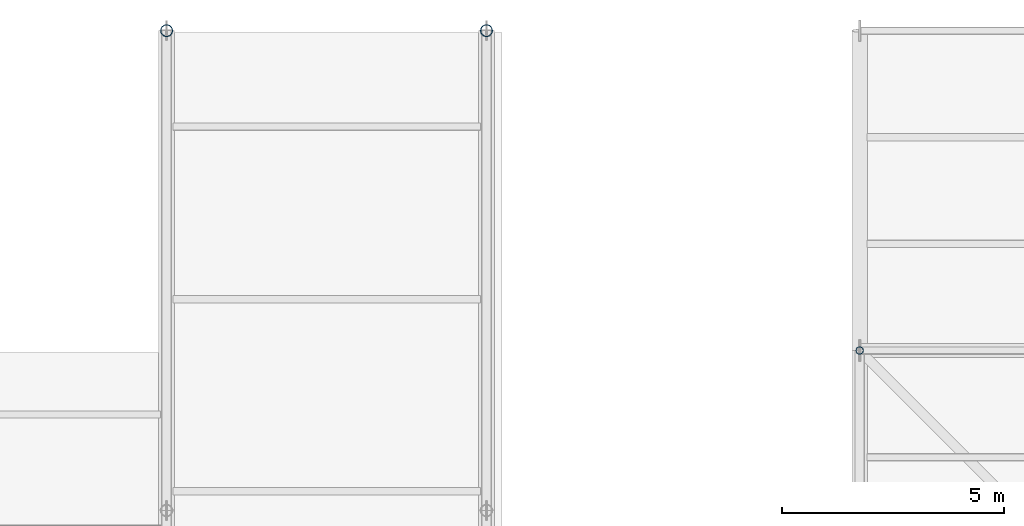
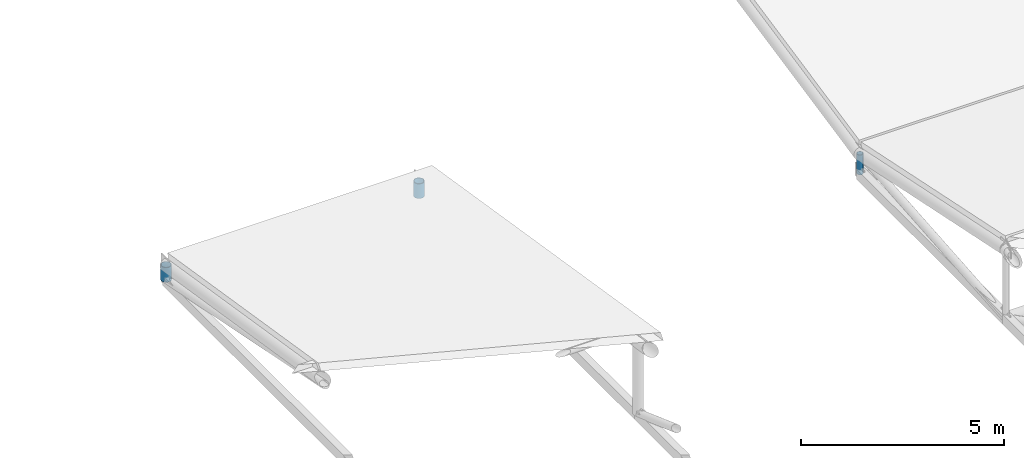
# One storey, part 45 of 72: 3 members.
"""IFC4 building model written with IfcOpenShell, lengths in metres."""

import ifcopenshell
import ifcopenshell.guid

model = None  # the IFC model being written
_history = None  # IfcOwnerHistory: only IFC2X3 demands one
_inside = {}  # id of a spatial element -> (the spatial element, [elements in it])
_under = {}  # id of a project, library or spatial element -> (it, [spatial elements below it])
_declared = {}  # id of a project -> (the project, [libraries it declares])
_typed = {}  # id of a type object -> (the type object, [elements of that type])
_made_of = {}  # id of a material, layer set ... -> (it, [elements and type objects made of it])


def new_model(schema):
    """Start an empty IFC model of exactly this schema.

    Asked for "IFC4X3", IfcOpenShell would pick the latest addendum, in which some entities
    have other attributes; the version numbers below select the first issue.
    IFC2X3 requires an IfcOwnerHistory on every rooted entity: one is made here for all.
    """
    global model, _history
    if schema == "IFC4X3":
        model = ifcopenshell.file(schema_version=(4, 3, 0, 0))
    else:
        model = ifcopenshell.file(schema=schema)
    _inside.clear()
    _under.clear()
    _declared.clear()
    _typed.clear()
    _made_of.clear()
    _history = None
    if model.schema == "IFC2X3":
        org = make("IfcOrganization", Name="unknown")
        user = make(
            "IfcPersonAndOrganization",
            ThePerson=make("IfcPerson", FamilyName="unknown"),
            TheOrganization=org,
        )
        app = make(
            "IfcApplication",
            ApplicationDeveloper=org,
            Version="unknown",
            ApplicationFullName="unknown",
            ApplicationIdentifier="unknown",
        )
        _history = make(
            "IfcOwnerHistory",
            OwningUser=user,
            OwningApplication=app,
            ChangeAction="ADDED",
            CreationDate=0,
        )
    return model


def make(cls, **values):
    """One entity of the class cls with the attributes given. An attribute that is None is left unset."""
    return model.create_entity(
        cls, **{name: value for name, value in values.items() if value is not None}
    )


def rooted(cls, **values):
    """An entity with a GlobalId (a new one), such as an element, a storey or a relation."""
    return make(cls, GlobalId=ifcopenshell.guid.new(), OwnerHistory=_history, **values)


def si_unit(unit_type, name, prefix=None):
    """IfcSIUnit, for example si_unit("LENGTHUNIT", "METRE", prefix="MILLI")."""
    return make("IfcSIUnit", UnitType=unit_type, Prefix=prefix, Name=name)


def assignment(units):
    """IfcUnitAssignment: the units of a project."""
    return None if units is None else make("IfcUnitAssignment", Units=units)


def point(xyz):
    """IfcCartesianPoint."""
    return None if xyz is None else make("IfcCartesianPoint", Coordinates=xyz)


def direction(xyz):
    """IfcDirection."""
    return None if xyz is None else make("IfcDirection", DirectionRatios=xyz)


def frame(location, z_axis=None, x_axis=None):
    """IfcAxis2Placement3D, a coordinate frame: its origin and axes. An axis left out is left unset."""
    return make(
        "IfcAxis2Placement3D",
        Location=point(location),
        Axis=direction(z_axis),
        RefDirection=direction(x_axis),
    )


def frame_2d(location, x_axis=None):
    """IfcAxis2Placement2D, a coordinate frame in the plane: its origin and x axis."""
    return make(
        "IfcAxis2Placement2D", Location=point(location), RefDirection=direction(x_axis)
    )


def origin():
    """The frame at (0, 0, 0) with its axes left unset."""
    return frame((0.0, 0.0, 0.0))


def origin_2d():
    """The frame at (0, 0) in the plane with its x axis left unset."""
    return frame_2d((0.0, 0.0))


def place(relative_to, where):
    """IfcLocalPlacement: puts the frame where relative to a parent placement (None: the world)."""
    return make(
        "IfcLocalPlacement", PlacementRelTo=relative_to, RelativePlacement=where
    )


def context(
    kind, dimensions, precision=None, world=None, true_north=None, identifier=None
):
    """IfcGeometricRepresentationContext, for example the 3D "Model" context."""
    return make(
        "IfcGeometricRepresentationContext",
        ContextIdentifier=identifier,
        ContextType=kind,
        CoordinateSpaceDimension=dimensions,
        Precision=precision,
        WorldCoordinateSystem=world,
        TrueNorth=true_north,
    )


def subcontext(parent, identifier, kind, view, scale=None):
    """IfcGeometricRepresentationSubContext, for example "Body" below "Model"."""
    return make(
        "IfcGeometricRepresentationSubContext",
        ContextIdentifier=identifier,
        ContextType=kind,
        ParentContext=parent,
        TargetScale=scale,
        TargetView=view,
    )


def project(units=None, contexts=None):
    """IfcProject with its units and contexts."""
    return rooted(
        "IfcProject",
        Name="project",
        RepresentationContexts=contexts,
        UnitsInContext=assignment(units),
    )


def spatial(cls, under=None, at=None, **own):
    """A site, building, storey or space (cls), placed at a placement, below another one or the project."""
    s = rooted(cls, ObjectPlacement=at, **own)
    if under is not None:
        _under.setdefault(under.id(), (under, []))[1].append(s)
    return s


def profile(cls, at=None, kind="AREA", **sizes):
    """A parametric profile (cls). Its sizes go by their IFC names, for example OverallWidth=200.0."""
    return make(cls, ProfileType=kind, Position=at, **sizes)


def hollow_circle(**sizes):
    """IfcCircleHollowProfileDef."""
    return profile("IfcCircleHollowProfileDef", **sizes)


def extrude(swept, where, along, depth):
    """IfcExtrudedAreaSolid: the profile swept, set in the frame where, extruded along a direction by depth."""
    return make(
        "IfcExtrudedAreaSolid",
        SweptArea=swept,
        Position=where,
        ExtrudedDirection=direction(along),
        Depth=depth,
    )


def shape(context_of_items, identifier, shape_type, items):
    """IfcShapeRepresentation: the items that make up one representation, for example the "Body"."""
    return make(
        "IfcShapeRepresentation",
        ContextOfItems=context_of_items,
        RepresentationIdentifier=identifier,
        RepresentationType=shape_type,
        Items=items,
    )


def material(Name=None, Category=None):
    """IfcMaterial."""
    return make("IfcMaterial", Name=Name, Category=Category)


def material_profile(
    of_material, cross_section, Name=None, Category=None, Priority=None
):
    """IfcMaterialProfile: a cross section and its material."""
    return make(
        "IfcMaterialProfile",
        Name=Name,
        Material=of_material,
        Profile=cross_section,
        Priority=Priority,
        Category=Category,
    )


def profile_set(profiles, Name=None, composite=None):
    """IfcMaterialProfileSet."""
    return make(
        "IfcMaterialProfileSet",
        Name=Name,
        MaterialProfiles=profiles,
        CompositeProfile=composite,
    )


def made_of(thing, what):
    """Note that an element or type object is made of a material, layer set ...; save() writes the relation."""
    if what is not None:
        _made_of.setdefault(what.id(), (what, []))[1].append(thing)
    return thing


def type_object(cls, material=None, **own):
    """A type object (cls), such as IfcWallType, which elements share."""
    return made_of(rooted(cls, **own), material)


def element(
    cls,
    number,
    at=None,
    inside=None,
    cuts=None,
    type_object=None,
    material=None,
    context=None,
    identifier="Body",
    shape_type=None,
    held_by="IfcProductDefinitionShape",
    body=None,
    shapes=None,
    **own,
):
    """One element of the class cls, such as IfcWall. Its Tag is "e" and its number.

    at: its placement. inside: the storey or other place that contains it. cuts: it is an
    opening in that element (IfcRelVoidsElement). A single representation is given by context,
    identifier, shape_type and body (its items); several are given by shapes. held_by: the class
    of the entity that holds the representations. save() writes the other relations.
    """
    e = rooted(cls, Tag="e%d" % number, ObjectPlacement=at, **own)
    if body is not None:
        shapes = [shape(context, identifier, shape_type, body)]
    if shapes is not None:
        e.Representation = make(held_by, Representations=shapes)
    if inside is not None:
        _inside.setdefault(inside.id(), (inside, []))[1].append(e)
    if cuts is not None:
        rooted(
            "IfcRelVoidsElement", RelatingBuildingElement=cuts, RelatedOpeningElement=e
        )
    if type_object is not None:
        _typed.setdefault(type_object.id(), (type_object, []))[1].append(e)
    return made_of(e, material)


def aggregate(whole, parts):
    """IfcRelAggregates: a whole, such as a stair, and the parts it consists of."""
    return rooted("IfcRelAggregates", RelatingObject=whole, RelatedObjects=parts)


def save(model, path):
    """Write the relations noted so far, then the file.

    IfcRelAggregates (storeys below a building ...), IfcRelContainedInSpatialStructure (elements
    in a storey), IfcRelDefinesByType, IfcRelAssociatesMaterial and IfcRelDeclares: one each for
    every whole, place, type object, material and project.
    """
    for whole, parts in _under.values():
        aggregate(whole, parts)
    for where, things in _inside.values():
        rooted(
            "IfcRelContainedInSpatialStructure",
            RelatedElements=things,
            RelatingStructure=where,
        )
    for kind, things in _typed.values():
        rooted("IfcRelDefinesByType", RelatedObjects=things, RelatingType=kind)
    for what, things in _made_of.values():
        rooted("IfcRelAssociatesMaterial", RelatedObjects=things, RelatingMaterial=what)
    for by, libraries in _declared.values():
        rooted("IfcRelDeclares", RelatingContext=by, RelatedDefinitions=libraries)
    model.write(path)


model = new_model("IFC4")

# Units and contexts
model_context = context("Model", 3, precision=1e-05, world=origin(), true_north=direction((0.0, 1.0)))
body_context = subcontext(model_context, "Body", "Model", "MODEL_VIEW")
ifc_project = project(units=[si_unit("LENGTHUNIT", "METRE"), si_unit("AREAUNIT", "SQUARE_METRE"), si_unit("VOLUMEUNIT", "CUBIC_METRE"), si_unit("PLANEANGLEUNIT", "RADIAN"), si_unit("MASSUNIT", "GRAM", prefix="KILO")], contexts=[model_context])

# Site, building, storey
site_placement = place(None, origin())
site = spatial("IfcSite", under=ifc_project, at=site_placement, CompositionType="ELEMENT")
building_placement = place(site_placement, origin())
building = spatial("IfcBuilding", under=site, at=building_placement, Name="Vaelcorin Mobility Hub", CompositionType="ELEMENT")
storey_placement = place(building_placement, frame((0.0, 0.0, 25.800048828125)))
storey = spatial("IfcBuildingStorey", under=building, at=storey_placement, Name="RF", CompositionType="ELEMENT", Elevation=25.800048828125)

# Members
ifc_material = material(Name="Steel ASTM A500 Grade C", Category="steel")
ifc_material_profile_1 = material_profile(ifc_material, hollow_circle(Radius=0.136474609375, WallThickness=0.0126953125, at=origin_2d()), Name="HSS10.750X0.500")
ifc_profile_set_1 = profile_set([ifc_material_profile_1], Name="Steel ASTM A500 Grade C")
member_type_1 = type_object("IfcMemberType", Name="SF-POST-10", PredefinedType="POST", material=ifc_profile_set_1)
for number, where, z_axis, x_axis, name in (
    (1, (27.60009765625, 120.0, -4.199951171875), (0.0, 0.0, 1.0), (1.0, 0.0, 0.0), "V2W Drum Roof Truss Post 4-4"),
    (2, (34.800048828125, 120.0, -4.199951171875), (0.0, 0.0, 1.0), (1.0, 0.0, 0.0), "V2W Drum Roof Truss Post 5-4"),
):
    element("IfcMember", number, at=place(storey_placement, frame(where, z_axis=z_axis, x_axis=x_axis)), inside=storey, type_object=member_type_1, Name=name, PredefinedType="POST", context=body_context, shape_type="SweptSolid", body=[
        extrude(hollow_circle(Radius=0.136474609375, WallThickness=0.0126953125, at=origin_2d()), origin(), (0.0, 0.0, 1.0), 0.44384765625),
    ])
ifc_material_profile_2 = material_profile(ifc_material, hollow_circle(Radius=0.084228515625, WallThickness=0.0078125, at=origin_2d()), Name="HSS6.625X0.312")
ifc_profile_set_2 = profile_set([ifc_material_profile_2], Name="Steel ASTM A500 Grade C")
member_type_2 = type_object("IfcMemberType", Name="TR-POST-6", PredefinedType="POST", material=ifc_profile_set_2)
member_placement = place(storey_placement, frame((43.199951171875, 112.800048828125, -2.10009765625), z_axis=(0.0, 0.0, 1.0), x_axis=(1.0, 0.0, 0.0)))
element("IfcMember", 3, at=member_placement, inside=storey, type_object=member_type_2, Name="Sports Pavilion Roof Truss Post 1-4", PredefinedType="POST", context=body_context, shape_type="SweptSolid", body=[
    extrude(hollow_circle(Radius=0.084228515625, WallThickness=0.0078125, at=origin_2d()), origin(), (0.0, 0.0, 1.0), 0.60009765625),
])

save(model, "model.ifc")
